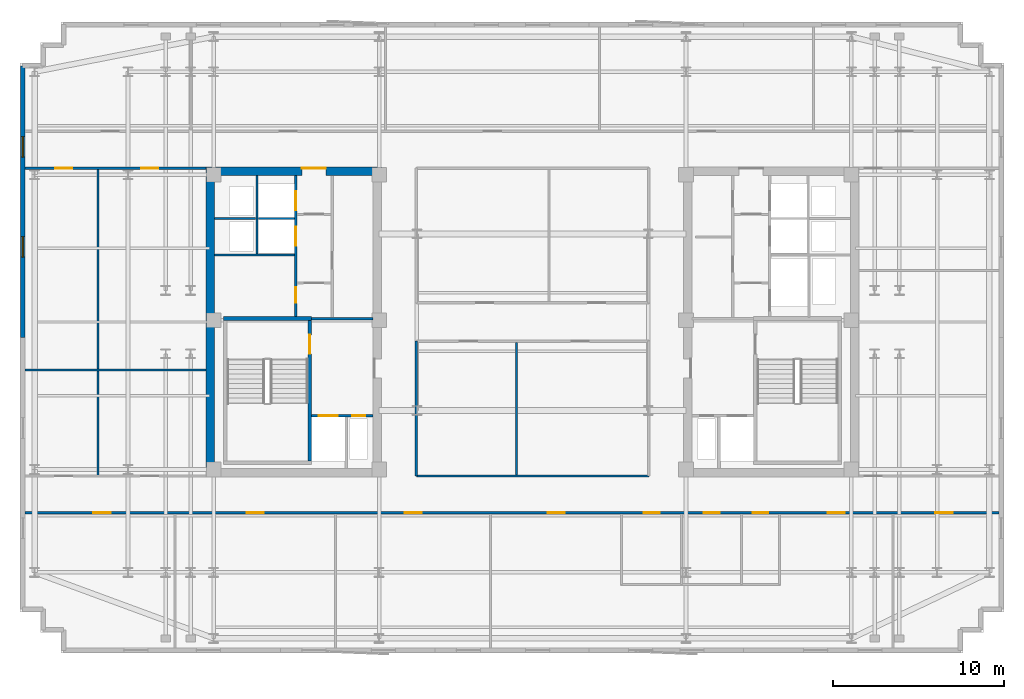
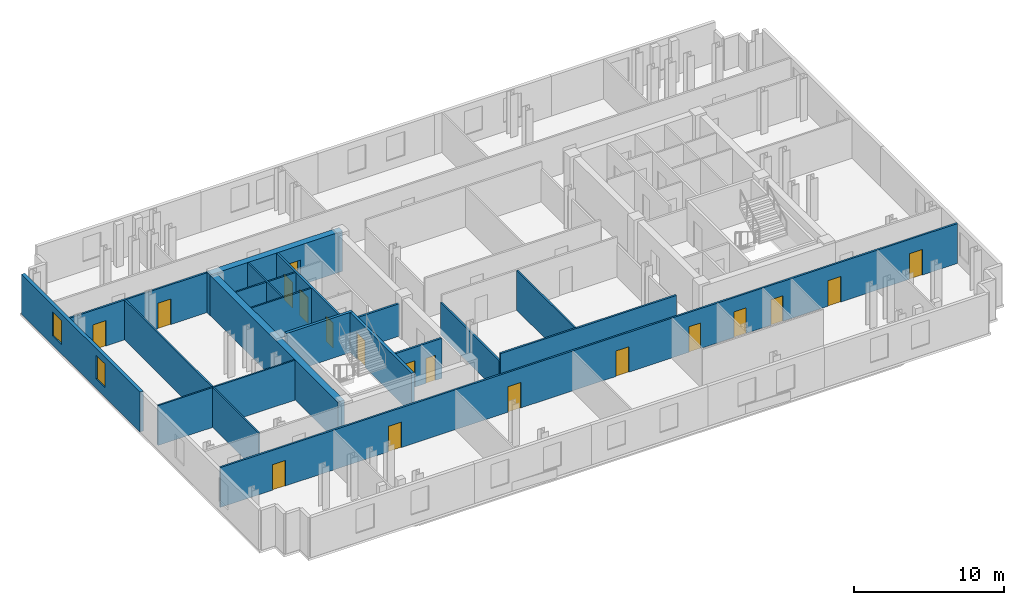
# One storey, part 4 of 9: 19 walls, 18 doors, 2 windows, 20 openings.
"""IFC4 building model written with IfcOpenShell, lengths in metres."""

import ifcopenshell
import ifcopenshell.guid

model = None  # the IFC model being written
_history = None  # IfcOwnerHistory: only IFC2X3 demands one
_inside = {}  # id of a spatial element -> (the spatial element, [elements in it])
_under = {}  # id of a project, library or spatial element -> (it, [spatial elements below it])
_declared = {}  # id of a project -> (the project, [libraries it declares])
_typed = {}  # id of a type object -> (the type object, [elements of that type])
_made_of = {}  # id of a material, layer set ... -> (it, [elements and type objects made of it])


def new_model(schema):
    """Start an empty IFC model of exactly this schema.

    Asked for "IFC4X3", IfcOpenShell would pick the latest addendum, in which some entities
    have other attributes; the version numbers below select the first issue.
    IFC2X3 requires an IfcOwnerHistory on every rooted entity: one is made here for all.
    """
    global model, _history
    if schema == "IFC4X3":
        model = ifcopenshell.file(schema_version=(4, 3, 0, 0))
    else:
        model = ifcopenshell.file(schema=schema)
    _inside.clear()
    _under.clear()
    _declared.clear()
    _typed.clear()
    _made_of.clear()
    _history = None
    if model.schema == "IFC2X3":
        org = make("IfcOrganization", Name="unknown")
        user = make(
            "IfcPersonAndOrganization",
            ThePerson=make("IfcPerson", FamilyName="unknown"),
            TheOrganization=org,
        )
        app = make(
            "IfcApplication",
            ApplicationDeveloper=org,
            Version="unknown",
            ApplicationFullName="unknown",
            ApplicationIdentifier="unknown",
        )
        _history = make(
            "IfcOwnerHistory",
            OwningUser=user,
            OwningApplication=app,
            ChangeAction="ADDED",
            CreationDate=0,
        )
    return model


def make(cls, **values):
    """One entity of the class cls with the attributes given. An attribute that is None is left unset."""
    return model.create_entity(
        cls, **{name: value for name, value in values.items() if value is not None}
    )


def rooted(cls, **values):
    """An entity with a GlobalId (a new one), such as an element, a storey or a relation."""
    return make(cls, GlobalId=ifcopenshell.guid.new(), OwnerHistory=_history, **values)


def si_unit(unit_type, name, prefix=None):
    """IfcSIUnit, for example si_unit("LENGTHUNIT", "METRE", prefix="MILLI")."""
    return make("IfcSIUnit", UnitType=unit_type, Prefix=prefix, Name=name)


def assignment(units):
    """IfcUnitAssignment: the units of a project."""
    return None if units is None else make("IfcUnitAssignment", Units=units)


def point(xyz):
    """IfcCartesianPoint."""
    return None if xyz is None else make("IfcCartesianPoint", Coordinates=xyz)


def direction(xyz):
    """IfcDirection."""
    return None if xyz is None else make("IfcDirection", DirectionRatios=xyz)


def frame(location, z_axis=None, x_axis=None):
    """IfcAxis2Placement3D, a coordinate frame: its origin and axes. An axis left out is left unset."""
    return make(
        "IfcAxis2Placement3D",
        Location=point(location),
        Axis=direction(z_axis),
        RefDirection=direction(x_axis),
    )


def frame_2d(location, x_axis=None):
    """IfcAxis2Placement2D, a coordinate frame in the plane: its origin and x axis."""
    return make(
        "IfcAxis2Placement2D", Location=point(location), RefDirection=direction(x_axis)
    )


def origin():
    """The frame at (0, 0, 0) with its axes left unset."""
    return frame((0.0, 0.0, 0.0))


def place(relative_to, where):
    """IfcLocalPlacement: puts the frame where relative to a parent placement (None: the world)."""
    return make(
        "IfcLocalPlacement", PlacementRelTo=relative_to, RelativePlacement=where
    )


def context(
    kind, dimensions, precision=None, world=None, true_north=None, identifier=None
):
    """IfcGeometricRepresentationContext, for example the 3D "Model" context."""
    return make(
        "IfcGeometricRepresentationContext",
        ContextIdentifier=identifier,
        ContextType=kind,
        CoordinateSpaceDimension=dimensions,
        Precision=precision,
        WorldCoordinateSystem=world,
        TrueNorth=true_north,
    )


def subcontext(parent, identifier, kind, view, scale=None):
    """IfcGeometricRepresentationSubContext, for example "Body" below "Model"."""
    return make(
        "IfcGeometricRepresentationSubContext",
        ContextIdentifier=identifier,
        ContextType=kind,
        ParentContext=parent,
        TargetScale=scale,
        TargetView=view,
    )


def project(units=None, contexts=None):
    """IfcProject with its units and contexts."""
    return rooted(
        "IfcProject",
        Name="project",
        RepresentationContexts=contexts,
        UnitsInContext=assignment(units),
    )


def spatial(cls, under=None, at=None, **own):
    """A site, building, storey or space (cls), placed at a placement, below another one or the project."""
    s = rooted(cls, ObjectPlacement=at, **own)
    if under is not None:
        _under.setdefault(under.id(), (under, []))[1].append(s)
    return s


def profile(cls, at=None, kind="AREA", **sizes):
    """A parametric profile (cls). Its sizes go by their IFC names, for example OverallWidth=200.0."""
    return make(cls, ProfileType=kind, Position=at, **sizes)


def rectangle(**sizes):
    """IfcRectangleProfileDef."""
    return profile("IfcRectangleProfileDef", **sizes)


def extrude(swept, where, along, depth):
    """IfcExtrudedAreaSolid: the profile swept, set in the frame where, extruded along a direction by depth."""
    return make(
        "IfcExtrudedAreaSolid",
        SweptArea=swept,
        Position=where,
        ExtrudedDirection=direction(along),
        Depth=depth,
    )


def shape(context_of_items, identifier, shape_type, items):
    """IfcShapeRepresentation: the items that make up one representation, for example the "Body"."""
    return make(
        "IfcShapeRepresentation",
        ContextOfItems=context_of_items,
        RepresentationIdentifier=identifier,
        RepresentationType=shape_type,
        Items=items,
    )


def material(Name=None, Category=None):
    """IfcMaterial."""
    return make("IfcMaterial", Name=Name, Category=Category)


def layer(
    of_material, thickness, ventilated=None, Name=None, Category=None, Priority=None
):
    """IfcMaterialLayer: one layer of a wall or slab, of a material (None: an air gap)."""
    return make(
        "IfcMaterialLayer",
        Material=of_material,
        LayerThickness=thickness,
        IsVentilated=ventilated,
        Name=Name,
        Category=Category,
        Priority=Priority,
    )


def layer_set(layers, Name=None):
    """IfcMaterialLayerSet."""
    return make("IfcMaterialLayerSet", MaterialLayers=layers, LayerSetName=Name)


def made_of(thing, what):
    """Note that an element or type object is made of a material, layer set ...; save() writes the relation."""
    if what is not None:
        _made_of.setdefault(what.id(), (what, []))[1].append(thing)
    return thing


def type_object(cls, material=None, **own):
    """A type object (cls), such as IfcWallType, which elements share."""
    return made_of(rooted(cls, **own), material)


def element(
    cls,
    number,
    at=None,
    inside=None,
    cuts=None,
    type_object=None,
    material=None,
    context=None,
    identifier="Body",
    shape_type=None,
    held_by="IfcProductDefinitionShape",
    body=None,
    shapes=None,
    **own,
):
    """One element of the class cls, such as IfcWall. Its Tag is "e" and its number.

    at: its placement. inside: the storey or other place that contains it. cuts: it is an
    opening in that element (IfcRelVoidsElement). A single representation is given by context,
    identifier, shape_type and body (its items); several are given by shapes. held_by: the class
    of the entity that holds the representations. save() writes the other relations.
    """
    e = rooted(cls, Tag="e%d" % number, ObjectPlacement=at, **own)
    if body is not None:
        shapes = [shape(context, identifier, shape_type, body)]
    if shapes is not None:
        e.Representation = make(held_by, Representations=shapes)
    if inside is not None:
        _inside.setdefault(inside.id(), (inside, []))[1].append(e)
    if cuts is not None:
        rooted(
            "IfcRelVoidsElement", RelatingBuildingElement=cuts, RelatedOpeningElement=e
        )
    if type_object is not None:
        _typed.setdefault(type_object.id(), (type_object, []))[1].append(e)
    return made_of(e, material)


def fill(opening, filler):
    """IfcRelFillsElement: the door or window that sits in an opening."""
    return rooted(
        "IfcRelFillsElement",
        RelatingOpeningElement=opening,
        RelatedBuildingElement=filler,
    )


def aggregate(whole, parts):
    """IfcRelAggregates: a whole, such as a stair, and the parts it consists of."""
    return rooted("IfcRelAggregates", RelatingObject=whole, RelatedObjects=parts)


def save(model, path):
    """Write the relations noted so far, then the file.

    IfcRelAggregates (storeys below a building ...), IfcRelContainedInSpatialStructure (elements
    in a storey), IfcRelDefinesByType, IfcRelAssociatesMaterial and IfcRelDeclares: one each for
    every whole, place, type object, material and project.
    """
    for whole, parts in _under.values():
        aggregate(whole, parts)
    for where, things in _inside.values():
        rooted(
            "IfcRelContainedInSpatialStructure",
            RelatedElements=things,
            RelatingStructure=where,
        )
    for kind, things in _typed.values():
        rooted("IfcRelDefinesByType", RelatedObjects=things, RelatingType=kind)
    for what, things in _made_of.values():
        rooted("IfcRelAssociatesMaterial", RelatedObjects=things, RelatingMaterial=what)
    for by, libraries in _declared.values():
        rooted("IfcRelDeclares", RelatingContext=by, RelatedDefinitions=libraries)
    model.write(path)


model = new_model("IFC4")

# Units and contexts
model_context = context("Model", 3, precision=1e-05, world=origin(), true_north=direction((0.0, 1.0)))
body_context = subcontext(model_context, "Body", "Model", "MODEL_VIEW")
ifc_project = project(units=[si_unit("LENGTHUNIT", "METRE"), si_unit("AREAUNIT", "SQUARE_METRE"), si_unit("VOLUMEUNIT", "CUBIC_METRE"), si_unit("PLANEANGLEUNIT", "RADIAN"), si_unit("MASSUNIT", "GRAM", prefix="KILO")], contexts=[model_context])

# Site, building, storey
site_placement = place(None, origin())
site = spatial("IfcSite", under=ifc_project, at=site_placement, CompositionType="ELEMENT")
building_placement = place(site_placement, origin())
building = spatial("IfcBuilding", under=site, at=building_placement, Name="Velakula Bourse", CompositionType="ELEMENT")
storey_placement = place(building_placement, frame((0.0, 0.0, 225.75)))
storey = spatial("IfcBuildingStorey", under=building, at=storey_placement, Name="L61", CompositionType="ELEMENT", Elevation=225.75)

# Wall, opening, door
ifc_material_1 = material(Name="Concrete M50 (fck 50 MPa)", Category="concrete")
ifc_layer_1 = layer(ifc_material_1, 0.2099609375, Name="Concrete M50 (fck 50 MPa)", Category="concrete")
ifc_layer_set_1 = layer_set([ifc_layer_1], Name="Concrete M50 (fck 50 MPa)")
wall_type_1 = type_object("IfcWallType", Name="WL-CORE-210", PredefinedType="SHEAR", material=ifc_layer_set_1)
wall_1_placement = place(storey_placement, frame((-12.9951171875, -8.10009765625, 0.0), z_axis=(0.0, 0.0, 1.0), x_axis=(0.0, 1.0, 0.0)))
wall_1 = element("IfcWall", 1, at=wall_1_placement, inside=storey, type_object=wall_type_1, Name="L61 Core W Stairwell Shear Wall IN", PredefinedType="SHEAR", context=body_context, shape_type="SweptSolid", body=[
    extrude(rectangle(XDim=8.2001953125, YDim=0.2099609375, at=frame_2d((4.10009765625, 0.0))), origin(), (0.0, 0.0, 1.0), 3.27001953125),
])
opening_1_placement = place(wall_1_placement, frame((6.25, 0.0, 0.0)))
opening_1 = element("IfcOpeningElement", 2, at=opening_1_placement, cuts=wall_1, Name="Opening D-STW1", PredefinedType="OPENING", context=body_context, shape_type="SweptSolid", body=[
    extrude(rectangle(XDim=1.10009765625, YDim=2.14990234375, at=frame_2d((0.550048828125, 1.074951171875))), frame((0.0, 0.114990234375, 0.0), z_axis=(0.0, -1.0, 0.0), x_axis=(1.0, 0.0, 0.0)), (0.0, 0.0, 1.0), 0.22998046875),
])
ifc_material_2 = material(Name="Galvanised painted hollow steel fire door", Category="steel")
door_type_1 = type_object("IfcDoorType", Name="DR-FD120-1100x2150", OperationType="NOTDEFINED", PredefinedType="DOOR", material=ifc_material_2)
door_1_placement = place(opening_1_placement, origin())
door_1 = element("IfcDoor", 3, at=door_1_placement, inside=storey, type_object=door_type_1, Name="L61 Stair ST-W1 Fire Door", OperationType="SINGLE_SWING_LEFT", OverallHeight=2.14990234375, OverallWidth=1.10009765625, PredefinedType="DOOR", context=body_context, shape_type="SweptSolid", body=[
    extrude(rectangle(XDim=1.10009765625, YDim=2.14990234375, at=frame_2d((0.550048828125, 1.074951171875))), frame((0.0, 0.02490234375, 0.0), z_axis=(0.0, -1.0, 0.0), x_axis=(1.0, 0.0, 0.0)), (0.0, 0.0, 1.0), 0.050048828125),
])
fill(opening_1, door_1)

# Wall
wall_2_placement = place(storey_placement, frame((-12.889892578125, 0.205078125, 0.0), z_axis=(0.0, 0.0, 1.0), x_axis=(-1.0, 0.0, 0.0)))
element("IfcWall", 4, at=wall_2_placement, inside=storey, type_object=wall_type_1, Name="L61 Core W Stairwell Shear Wall N", PredefinedType="SHEAR", context=body_context, shape_type="SweptSolid", body=[
    extrude(rectangle(XDim=5.14013671875, YDim=0.2099609375, at=frame_2d((2.570068359375, 0.0))), origin(), (0.0, 0.0, 1.0), 3.27001953125),
])

# Wall, opening, door
ifc_layer_2 = layer(ifc_material_1, 0.5, Name="Concrete M50 (fck 50 MPa)", Category="concrete")
ifc_layer_set_2 = layer_set([ifc_layer_2], Name="Concrete M50 (fck 50 MPa)")
wall_type_2 = type_object("IfcWallType", Name="WL-CORE-500", PredefinedType="SHEAR", material=ifc_layer_set_2)
wall_3_placement = place(storey_placement, frame((-19.050048828125, 8.800048828125, 0.0), z_axis=(0.0, 0.0, 1.0), x_axis=(1.0, 0.0, 0.0)))
wall_3 = element("IfcWall", 5, at=wall_3_placement, inside=storey, type_object=wall_type_2, Name="L61 Core W Shear Wall N", PredefinedType="SHEAR", context=body_context, shape_type="SweptSolid", body=[
    extrude(rectangle(XDim=10.25, YDim=0.5, at=frame_2d((5.125, 0.0))), origin(), (0.0, 0.0, 1.0), 3.27001953125),
])
opening_2_placement = place(wall_3_placement, frame((5.60009765625, 0.0, 0.0)))
opening_2 = element("IfcOpeningElement", 6, at=opening_2_placement, cuts=wall_3, Name="Opening D-LLW", PredefinedType="OPENING", context=body_context, shape_type="SweptSolid", body=[
    extrude(rectangle(XDim=1.39990234375, YDim=2.050048828125, at=frame_2d((0.699951171875, 1.02490234375))), frame((0.0, 0.260009765625, 0.0), z_axis=(0.0, -1.0, 0.0), x_axis=(1.0, 0.0, 0.0)), (0.0, 0.0, 1.0), 0.52001953125),
])
ifc_material_3 = material(Name="Fire-rated hardwood flush architectural door", Category="wood")
door_type_2 = type_object("IfcDoorType", Name="DR-DBL-FD60-1400", OperationType="DOUBLE_DOOR_SINGLE_SWING", PredefinedType="DOOR", material=ifc_material_3)
door_2_placement = place(opening_2_placement, origin())
door_2 = element("IfcDoor", 7, at=door_2_placement, inside=storey, type_object=door_type_2, Name="L61 Core W Lift Lobby Corridor Double Door", OperationType="DOUBLE_DOOR_SINGLE_SWING", OverallHeight=2.050048828125, OverallWidth=1.39990234375, PredefinedType="DOOR", context=body_context, shape_type="SweptSolid", body=[
    extrude(rectangle(XDim=1.39990234375, YDim=2.050048828125, at=frame_2d((0.699951171875, 1.02490234375))), frame((0.0, 0.19482421875, 0.0), z_axis=(0.0, -1.0, 0.0), x_axis=(1.0, 0.0, 0.0)), (0.0, 0.0, 1.0), 0.050048828125),
])
fill(opening_2, door_2)

# Wall
wall_4_placement = place(storey_placement, frame((-18.800048828125, -8.550048828125, 0.0), z_axis=(0.0, 0.0, 1.0), x_axis=(0.0, 1.0, 0.0)))
element("IfcWall", 8, at=wall_4_placement, inside=storey, type_object=wall_type_2, Name="L61 Core W Shear Wall W", PredefinedType="SHEAR", context=body_context, shape_type="SweptSolid", body=[
    extrude(rectangle(XDim=17.10009765625, YDim=0.5, at=frame_2d((8.550048828125, 0.0))), origin(), (0.0, 0.0, 1.0), 3.27001953125),
])

# Wall, openings, windows
ifc_material_4 = material(Name="Buff kilned clay facing brick masonry", Category="masonry")
ifc_layer_3 = layer(ifc_material_4, 0.260009765625, Name="Buff kilned clay facing brick masonry", Category="masonry")
ifc_layer_set_3 = layer_set([ifc_layer_3], Name="Buff kilned clay facing brick masonry")
wall_type_3 = type_object("IfcWallType", Name="WL-EXT-BRK-260", PredefinedType="STANDARD", material=ifc_layer_set_3)
wall_5_placement = place(storey_placement, frame((-29.75, -0.89990234375, 0.0), z_axis=(0.0, 0.0, 1.0), x_axis=(0.0, 1.0, 0.0)))
wall_5 = element("IfcWall", 9, at=wall_5_placement, inside=storey, type_object=wall_type_3, Name="L61 W Brick End Wall W2", PredefinedType="STANDARD", context=body_context, shape_type="SweptSolid", body=[
    extrude(rectangle(XDim=15.849853515625, YDim=0.260009765625, at=frame_2d((7.9248046875, 0.0))), origin(), (0.0, 0.0, 1.0), 3.25),
])
opening_3_placement = place(wall_5_placement, frame((4.683349609375, 0.0, 0.760009765625)))
opening_3 = element("IfcOpeningElement", 10, at=opening_3_placement, cuts=wall_5, Name="Opening W-04", PredefinedType="OPENING", context=body_context, shape_type="SweptSolid", body=[
    extrude(rectangle(XDim=1.199951171875, YDim=1.949951171875, at=frame_2d((0.60009765625, 0.97509765625))), frame((0.0, 0.139892578125, 0.0), z_axis=(0.0, -1.0, 0.0), x_axis=(1.0, 0.0, 0.0)), (0.0, 0.0, 1.0), 0.280029296875),
])
opening_4_placement = place(wall_5_placement, frame((10.5166015625, 0.0, 0.760009765625)))
opening_4 = element("IfcOpeningElement", 11, at=opening_4_placement, cuts=wall_5, Name="Opening W-04", PredefinedType="OPENING", context=body_context, shape_type="SweptSolid", body=[
    extrude(rectangle(XDim=1.199951171875, YDim=1.949951171875, at=frame_2d((0.60009765625, 0.97509765625))), frame((0.0, 0.139892578125, 0.0), z_axis=(0.0, -1.0, 0.0), x_axis=(1.0, 0.0, 0.0)), (0.0, 0.0, 1.0), 0.280029296875),
])
ifc_material_5 = material(Name="Double-glazed solar-control Low-E glass", Category="glass")
window_type = type_object("IfcWindowType", Name="WIN-TWR-1200x2100", PartitioningType="SINGLE_PANEL", PredefinedType="WINDOW", material=ifc_material_5)
window_1_placement = place(opening_3_placement, origin())
window_1 = element("IfcWindow", 12, at=window_1_placement, inside=storey, type_object=window_type, Name="L61 Deep-Set Recessed Window 1", OverallHeight=1.949951171875, OverallWidth=1.199951171875, PartitioningType="SINGLE_PANEL", PredefinedType="WINDOW", context=body_context, shape_type="SweptSolid", body=[
    extrude(rectangle(XDim=1.199951171875, YDim=1.949951171875, at=frame_2d((0.60009765625, 0.97509765625))), frame((0.0, 0.030029296875, 0.0), z_axis=(0.0, -1.0, 0.0), x_axis=(1.0, 0.0, 0.0)), (0.0, 0.0, 1.0), 0.06005859375),
])
fill(opening_3, window_1)
window_2_placement = place(opening_4_placement, origin())
window_2 = element("IfcWindow", 13, at=window_2_placement, inside=storey, type_object=window_type, Name="L61 Deep-Set Recessed Window 2", OverallHeight=1.949951171875, OverallWidth=1.199951171875, PartitioningType="SINGLE_PANEL", PredefinedType="WINDOW", context=body_context, shape_type="SweptSolid", body=[
    extrude(rectangle(XDim=1.199951171875, YDim=1.949951171875, at=frame_2d((0.60009765625, 0.97509765625))), frame((0.0, 0.030029296875, 0.0), z_axis=(0.0, -1.0, 0.0), x_axis=(1.0, 0.0, 0.0)), (0.0, 0.0, 1.0), 0.06005859375),
])
fill(opening_4, window_2)

# Walls
ifc_material_6 = material(Name="Fire-rated double-layer gypsum drywall partition", Category="gypsum")
ifc_layer_4 = layer(ifc_material_6, 0.1201171875, Name="Fire-rated double-layer gypsum drywall partition", Category="gypsum")
ifc_layer_set_4 = layer_set([ifc_layer_4], Name="Fire-rated double-layer gypsum drywall partition")
wall_type_4 = type_object("IfcWallType", Name="WL-PART-120", PredefinedType="STANDARD", material=ifc_layer_set_4)
wall_6_placement = place(storey_placement, frame((-18.550048828125, 3.919921875, 0.0), z_axis=(0.0, 0.0, 1.0), x_axis=(1.0, 0.0, 0.0)))
element("IfcWall", 14, at=wall_6_placement, inside=storey, type_object=wall_type_4, Name="L61 Interior Partition WL-CRW-L61-HI-S", PredefinedType="STANDARD", context=body_context, shape_type="SweptSolid", body=[
    extrude(rectangle(XDim=4.650146484375, YDim=0.1201171875, at=frame_2d((2.3251953125, 0.0))), origin(), (0.0, 0.0, 1.0), 3.25),
])
wall_7_placement = place(storey_placement, frame((-18.550048828125, 6.030029296875, 0.0), z_axis=(0.0, 0.0, 1.0), x_axis=(1.0, 0.0, 0.0)))
element("IfcWall", 15, at=wall_7_placement, inside=storey, type_object=wall_type_4, Name="L61 Interior Partition WL-CRW-L61-RIS-MID", PredefinedType="STANDARD", context=body_context, shape_type="SweptSolid", body=[
    extrude(rectangle(XDim=2.400146484375, YDim=0.1201171875, at=frame_2d((1.2001953125, 0.0))), origin(), (0.0, 0.0, 1.0), 3.25),
])
wall_8_placement = place(storey_placement, frame((-16.074951171875, 3.97998046875, 0.0), z_axis=(0.0, 0.0, 1.0), x_axis=(0.0, 1.0, 0.0)))
element("IfcWall", 16, at=wall_8_placement, inside=storey, type_object=wall_type_4, Name="L61 Interior Partition WL-CRW-L61-RIS-F", PredefinedType="STANDARD", context=body_context, shape_type="SweptSolid", body=[
    extrude(rectangle(XDim=4.570068359375, YDim=0.1201171875, at=frame_2d((2.28515625, 0.0))), origin(), (0.0, 0.0, 1.0), 3.25),
])
wall_9_placement = place(storey_placement, frame((-16.0, 6.030029296875, 0.0), z_axis=(0.0, 0.0, 1.0), x_axis=(1.0, 0.0, 0.0)))
element("IfcWall", 17, at=wall_9_placement, inside=storey, type_object=wall_type_4, Name="L61 Interior Partition WL-CRW-L61-HI-DIV", PredefinedType="STANDARD", context=body_context, shape_type="SweptSolid", body=[
    extrude(rectangle(XDim=2.10009765625, YDim=0.1201171875, at=frame_2d((1.050048828125, 0.0))), origin(), (0.0, 0.0, 1.0), 3.25),
])
wall_10_placement = place(storey_placement, frame((-29.6201171875, -2.800048828125, 0.0), z_axis=(0.0, 0.0, 1.0), x_axis=(1.0, 0.0, 0.0)))
element("IfcWall", 18, at=wall_10_placement, inside=storey, type_object=wall_type_4, Name="L61 Interior Partition WL-INT-L61-W-H", PredefinedType="STANDARD", context=body_context, shape_type="SweptSolid", body=[
    extrude(rectangle(XDim=10.570068359375, YDim=0.1201171875, at=frame_2d((5.28515625, 0.0))), origin(), (0.0, 0.0, 1.0), 3.25),
])
wall_11_placement = place(storey_placement, frame((-25.35498046875, -8.97998046875, 0.0), z_axis=(0.0, 0.0, 1.0), x_axis=(0.0, 1.0, 0.0)))
element("IfcWall", 19, at=wall_11_placement, inside=storey, type_object=wall_type_4, Name="L61 Interior Partition WL-INT-L61-W-V1", PredefinedType="STANDARD", context=body_context, shape_type="SweptSolid", body=[
    extrude(rectangle(XDim=17.9599609375, YDim=0.1201171875, at=frame_2d((8.97998046875, 0.0))), origin(), (0.0, 0.0, 1.0), 3.25),
])

# Wall, openings, doors
ifc_layer_5 = layer(ifc_material_6, 0.139892578125, Name="Fire-rated double-layer gypsum drywall partition", Category="gypsum")
ifc_layer_set_5 = layer_set([ifc_layer_5], Name="Fire-rated double-layer gypsum drywall partition")
wall_type_5 = type_object("IfcWallType", Name="WL-PART-140", PredefinedType="STANDARD", material=ifc_layer_set_5)
wall_12_placement = place(storey_placement, frame((-29.6201171875, -11.1201171875, 0.0), z_axis=(0.0, 0.0, 1.0), x_axis=(1.0, 0.0, 0.0)))
wall_12 = element("IfcWall", 20, at=wall_12_placement, inside=storey, type_object=wall_type_5, Name="L61 Interior Partition WL-INT-L61-S-CORR", PredefinedType="STANDARD", context=body_context, shape_type="SweptSolid", body=[
    extrude(rectangle(XDim=56.840087890625, YDim=0.139892578125, at=frame_2d((28.419921875, 0.0))), origin(), (0.0, 0.0, 1.0), 3.25),
])
opening_5_placement = place(wall_12_placement, frame((36.110107421875, 0.0, 0.0)))
opening_5 = element("IfcOpeningElement", 21, at=opening_5_placement, cuts=wall_12, Name="Opening D-WT1", PredefinedType="OPENING", context=body_context, shape_type="SweptSolid", body=[
    extrude(rectangle(XDim=0.919921875, YDim=2.080078125, at=frame_2d((0.4599609375, 1.0400390625))), frame((0.0, 0.079833984375, 0.0), z_axis=(0.0, -1.0, 0.0), x_axis=(1.0, 0.0, 0.0)), (0.0, 0.0, 1.0), 0.159912109375),
])
opening_6_placement = place(wall_12_placement, frame((39.610107421875, 0.0, 0.0)))
opening_6 = element("IfcOpeningElement", 22, at=opening_6_placement, cuts=wall_12, Name="Opening D-WT1", PredefinedType="OPENING", context=body_context, shape_type="SweptSolid", body=[
    extrude(rectangle(XDim=0.919921875, YDim=2.080078125, at=frame_2d((0.4599609375, 1.0400390625))), frame((0.0, 0.079833984375, 0.0), z_axis=(0.0, -1.0, 0.0), x_axis=(1.0, 0.0, 0.0)), (0.0, 0.0, 1.0), 0.159912109375),
])
opening_7_placement = place(wall_12_placement, frame((42.4599609375, 0.0, 0.0)))
opening_7 = element("IfcOpeningElement", 23, at=opening_7_placement, cuts=wall_12, Name="Opening D-WC1", PredefinedType="OPENING", context=body_context, shape_type="SweptSolid", body=[
    extrude(rectangle(XDim=0.919921875, YDim=2.080078125, at=frame_2d((0.4599609375, 1.0400390625))), frame((0.0, 0.079833984375, 0.0), z_axis=(0.0, -1.0, 0.0), x_axis=(1.0, 0.0, 0.0)), (0.0, 0.0, 1.0), 0.159912109375),
])
opening_8_placement = place(wall_12_placement, frame((4.0009765625, 0.0, 0.0)))
opening_8 = element("IfcOpeningElement", 24, at=opening_8_placement, cuts=wall_12, Name="Opening D-OF1", PredefinedType="OPENING", context=body_context, shape_type="SweptSolid", body=[
    extrude(rectangle(XDim=1.0, YDim=2.080078125, at=frame_2d((0.5, 1.0400390625))), frame((0.0, 0.079833984375, 0.0), z_axis=(0.0, -1.0, 0.0), x_axis=(1.0, 0.0, 0.0)), (0.0, 0.0, 1.0), 0.159912109375),
])
opening_9_placement = place(wall_12_placement, frame((12.9423828125, 0.0, 0.0)))
opening_9 = element("IfcOpeningElement", 25, at=opening_9_placement, cuts=wall_12, Name="Opening D-OF1", PredefinedType="OPENING", context=body_context, shape_type="SweptSolid", body=[
    extrude(rectangle(XDim=1.0, YDim=2.080078125, at=frame_2d((0.5, 1.0400390625))), frame((0.0, 0.079833984375, 0.0), z_axis=(0.0, -1.0, 0.0), x_axis=(1.0, 0.0, 0.0)), (0.0, 0.0, 1.0), 0.159912109375),
])
opening_10_placement = place(wall_12_placement, frame((22.154052734375, 0.0, 0.0)))
opening_10 = element("IfcOpeningElement", 26, at=opening_10_placement, cuts=wall_12, Name="Opening D-OF1", PredefinedType="OPENING", context=body_context, shape_type="SweptSolid", body=[
    extrude(rectangle(XDim=1.0, YDim=2.080078125, at=frame_2d((0.5, 1.0400390625))), frame((0.0, 0.079833984375, 0.0), z_axis=(0.0, -1.0, 0.0), x_axis=(1.0, 0.0, 0.0)), (0.0, 0.0, 1.0), 0.159912109375),
])
opening_11_placement = place(wall_12_placement, frame((30.49658203125, 0.0, 0.0)))
opening_11 = element("IfcOpeningElement", 27, at=opening_11_placement, cuts=wall_12, Name="Opening D-OF1", PredefinedType="OPENING", context=body_context, shape_type="SweptSolid", body=[
    extrude(rectangle(XDim=1.0, YDim=2.080078125, at=frame_2d((0.5, 1.0400390625))), frame((0.0, 0.079833984375, 0.0), z_axis=(0.0, -1.0, 0.0), x_axis=(1.0, 0.0, 0.0)), (0.0, 0.0, 1.0), 0.159912109375),
])
opening_12_placement = place(wall_12_placement, frame((46.83740234375, 0.0, 0.0)))
opening_12 = element("IfcOpeningElement", 28, at=opening_12_placement, cuts=wall_12, Name="Opening D-OF1", PredefinedType="OPENING", context=body_context, shape_type="SweptSolid", body=[
    extrude(rectangle(XDim=1.0, YDim=2.080078125, at=frame_2d((0.5, 1.0400390625))), frame((0.0, 0.079833984375, 0.0), z_axis=(0.0, -1.0, 0.0), x_axis=(1.0, 0.0, 0.0)), (0.0, 0.0, 1.0), 0.159912109375),
])
opening_13_placement = place(wall_12_placement, frame((53.12158203125, 0.0, 0.0)))
opening_13 = element("IfcOpeningElement", 29, at=opening_13_placement, cuts=wall_12, Name="Opening D-OF1", PredefinedType="OPENING", context=body_context, shape_type="SweptSolid", body=[
    extrude(rectangle(XDim=1.0, YDim=2.080078125, at=frame_2d((0.5, 1.0400390625))), frame((0.0, 0.079833984375, 0.0), z_axis=(0.0, -1.0, 0.0), x_axis=(1.0, 0.0, 0.0)), (0.0, 0.0, 1.0), 0.159912109375),
])
door_type_3 = type_object("IfcDoorType", Name="DR-OFF-1000", OperationType="NOTDEFINED", PredefinedType="DOOR", material=ifc_material_3)
door_3_placement = place(opening_8_placement, origin())
door_3 = element("IfcDoor", 30, at=door_3_placement, inside=storey, type_object=door_type_3, Name="L61 Traders Bistro Restaurant Door", OperationType="SINGLE_SWING_LEFT", OverallHeight=2.080078125, OverallWidth=1.0, PredefinedType="DOOR", context=body_context, shape_type="SweptSolid", body=[
    extrude(rectangle(XDim=1.0, YDim=2.080078125, at=frame_2d((0.5, 1.0400390625))), frame((0.0, 0.02490234375, 0.0), z_axis=(0.0, -1.0, 0.0), x_axis=(1.0, 0.0, 0.0)), (0.0, 0.0, 1.0), 0.050048828125),
])
fill(opening_8, door_3)
door_4_placement = place(opening_9_placement, origin())
door_4 = element("IfcDoor", 31, at=door_4_placement, inside=storey, type_object=door_type_3, Name="L61 Margin Control Office Door", OperationType="SINGLE_SWING_RIGHT", OverallHeight=2.080078125, OverallWidth=1.0, PredefinedType="DOOR", context=body_context, shape_type="SweptSolid", body=[
    extrude(rectangle(XDim=1.0, YDim=2.080078125, at=frame_2d((0.5, 1.0400390625))), frame((0.0, 0.02490234375, 0.0), z_axis=(0.0, -1.0, 0.0), x_axis=(1.0, 0.0, 0.0)), (0.0, 0.0, 1.0), 0.050048828125),
])
fill(opening_9, door_4)
door_5_placement = place(opening_10_placement, origin())
door_5 = element("IfcDoor", 32, at=door_5_placement, inside=storey, type_object=door_type_3, Name="L61 Clearing Committee Room Door", OperationType="SINGLE_SWING_LEFT", OverallHeight=2.080078125, OverallWidth=1.0, PredefinedType="DOOR", context=body_context, shape_type="SweptSolid", body=[
    extrude(rectangle(XDim=1.0, YDim=2.080078125, at=frame_2d((0.5, 1.0400390625))), frame((0.0, 0.02490234375, 0.0), z_axis=(0.0, -1.0, 0.0), x_axis=(1.0, 0.0, 0.0)), (0.0, 0.0, 1.0), 0.050048828125),
])
fill(opening_10, door_5)
door_6_placement = place(opening_11_placement, origin())
door_6 = element("IfcDoor", 33, at=door_6_placement, inside=storey, type_object=door_type_3, Name="L61 Tea Room Kitchenette Door", OperationType="SINGLE_SWING_RIGHT", OverallHeight=2.080078125, OverallWidth=1.0, PredefinedType="DOOR", context=body_context, shape_type="SweptSolid", body=[
    extrude(rectangle(XDim=1.0, YDim=2.080078125, at=frame_2d((0.5, 1.0400390625))), frame((0.0, 0.02490234375, 0.0), z_axis=(0.0, -1.0, 0.0), x_axis=(1.0, 0.0, 0.0)), (0.0, 0.0, 1.0), 0.050048828125),
])
fill(opening_11, door_6)
door_7_placement = place(opening_12_placement, origin())
door_7 = element("IfcDoor", 34, at=door_7_placement, inside=storey, type_object=door_type_3, Name="L61 Market Data Feed Workspace Door", OperationType="SINGLE_SWING_LEFT", OverallHeight=2.080078125, OverallWidth=1.0, PredefinedType="DOOR", context=body_context, shape_type="SweptSolid", body=[
    extrude(rectangle(XDim=1.0, YDim=2.080078125, at=frame_2d((0.5, 1.0400390625))), frame((0.0, 0.02490234375, 0.0), z_axis=(0.0, -1.0, 0.0), x_axis=(1.0, 0.0, 0.0)), (0.0, 0.0, 1.0), 0.050048828125),
])
fill(opening_12, door_7)
door_8_placement = place(opening_13_placement, origin())
door_8 = element("IfcDoor", 35, at=door_8_placement, inside=storey, type_object=door_type_3, Name="L61 Bullion Assay Office Door", OperationType="SINGLE_SWING_RIGHT", OverallHeight=2.080078125, OverallWidth=1.0, PredefinedType="DOOR", context=body_context, shape_type="SweptSolid", body=[
    extrude(rectangle(XDim=1.0, YDim=2.080078125, at=frame_2d((0.5, 1.0400390625))), frame((0.0, 0.02490234375, 0.0), z_axis=(0.0, -1.0, 0.0), x_axis=(1.0, 0.0, 0.0)), (0.0, 0.0, 1.0), 0.050048828125),
])
fill(opening_13, door_8)
door_type_4 = type_object("IfcDoorType", Name="DR-WC-950", OperationType="NOTDEFINED", PredefinedType="DOOR", material=ifc_material_3)
door_9_placement = place(opening_5_placement, origin())
door_9 = element("IfcDoor", 36, at=door_9_placement, inside=storey, type_object=door_type_4, Name="L61 Male Staff Toilet Door", OperationType="SINGLE_SWING_RIGHT", OverallHeight=2.080078125, OverallWidth=0.919921875, PredefinedType="DOOR", context=body_context, shape_type="SweptSolid", body=[
    extrude(rectangle(XDim=0.919921875, YDim=2.080078125, at=frame_2d((0.4599609375, 1.0400390625))), frame((0.0, 0.02490234375, 0.0), z_axis=(0.0, -1.0, 0.0), x_axis=(1.0, 0.0, 0.0)), (0.0, 0.0, 1.0), 0.050048828125),
])
fill(opening_5, door_9)
door_10_placement = place(opening_6_placement, origin())
door_10 = element("IfcDoor", 37, at=door_10_placement, inside=storey, type_object=door_type_4, Name="L61 Female Staff Toilet Door", OperationType="SINGLE_SWING_LEFT", OverallHeight=2.080078125, OverallWidth=0.919921875, PredefinedType="DOOR", context=body_context, shape_type="SweptSolid", body=[
    extrude(rectangle(XDim=0.919921875, YDim=2.080078125, at=frame_2d((0.4599609375, 1.0400390625))), frame((0.0, 0.02490234375, 0.0), z_axis=(0.0, -1.0, 0.0), x_axis=(1.0, 0.0, 0.0)), (0.0, 0.0, 1.0), 0.050048828125),
])
fill(opening_6, door_10)
door_11_placement = place(opening_7_placement, origin())
door_11 = element("IfcDoor", 38, at=door_11_placement, inside=storey, type_object=door_type_4, Name="L61 Accessible WC Door", OperationType="SINGLE_SWING_RIGHT", OverallHeight=2.080078125, OverallWidth=0.919921875, PredefinedType="DOOR", context=body_context, shape_type="SweptSolid", body=[
    extrude(rectangle(XDim=0.919921875, YDim=2.080078125, at=frame_2d((0.4599609375, 1.0400390625))), frame((0.0, 0.02490234375, 0.0), z_axis=(0.0, -1.0, 0.0), x_axis=(1.0, 0.0, 0.0)), (0.0, 0.0, 1.0), 0.050048828125),
])
fill(opening_7, door_11)

wall_13_placement = place(storey_placement, frame((-29.6201171875, 8.97998046875, 0.0), z_axis=(0.0, 0.0, 1.0), x_axis=(1.0, 0.0, 0.0)))
wall_13 = element("IfcWall", 39, at=wall_13_placement, inside=storey, type_object=wall_type_5, Name="L61 Interior Partition WL-INT-L61-W-NC", PredefinedType="STANDARD", context=body_context, shape_type="SweptSolid", body=[
    extrude(rectangle(XDim=10.570068359375, YDim=0.139892578125, at=frame_2d((5.28515625, 0.0))), origin(), (0.0, 0.0, 1.0), 3.25),
])
opening_14_placement = place(wall_13_placement, frame((1.762451171875, 0.0, 0.0)))
opening_14 = element("IfcOpeningElement", 40, at=opening_14_placement, cuts=wall_13, Name="Opening D-OF1", PredefinedType="OPENING", context=body_context, shape_type="SweptSolid", body=[
    extrude(rectangle(XDim=1.0, YDim=2.080078125, at=frame_2d((0.5, 1.0400390625))), frame((0.0, 0.079833984375, 0.0), z_axis=(0.0, -1.0, 0.0), x_axis=(1.0, 0.0, 0.0)), (0.0, 0.0, 1.0), 0.159912109375),
])
opening_15_placement = place(wall_13_placement, frame((6.78759765625, 0.0, 0.0)))
opening_15 = element("IfcOpeningElement", 41, at=opening_15_placement, cuts=wall_13, Name="Opening D-OF1", PredefinedType="OPENING", context=body_context, shape_type="SweptSolid", body=[
    extrude(rectangle(XDim=1.0, YDim=2.080078125, at=frame_2d((0.5, 1.0400390625))), frame((0.0, 0.079833984375, 0.0), z_axis=(0.0, -1.0, 0.0), x_axis=(1.0, 0.0, 0.0)), (0.0, 0.0, 1.0), 0.159912109375),
])
door_12_placement = place(opening_14_placement, origin())
door_12 = element("IfcDoor", 42, at=door_12_placement, inside=storey, type_object=door_type_3, Name="L61 Bullion Assay Office Door", OperationType="SINGLE_SWING_LEFT", OverallHeight=2.080078125, OverallWidth=1.0, PredefinedType="DOOR", context=body_context, shape_type="SweptSolid", body=[
    extrude(rectangle(XDim=1.0, YDim=2.080078125, at=frame_2d((0.5, 1.0400390625))), frame((0.0, 0.02490234375, 0.0), z_axis=(0.0, -1.0, 0.0), x_axis=(1.0, 0.0, 0.0)), (0.0, 0.0, 1.0), 0.050048828125),
])
fill(opening_14, door_12)
door_13_placement = place(opening_15_placement, origin())
door_13 = element("IfcDoor", 43, at=door_13_placement, inside=storey, type_object=door_type_3, Name="L61 Executive Boardroom Door", OperationType="SINGLE_SWING_RIGHT", OverallHeight=2.080078125, OverallWidth=1.0, PredefinedType="DOOR", context=body_context, shape_type="SweptSolid", body=[
    extrude(rectangle(XDim=1.0, YDim=2.080078125, at=frame_2d((0.5, 1.0400390625))), frame((0.0, 0.02490234375, 0.0), z_axis=(0.0, -1.0, 0.0), x_axis=(1.0, 0.0, 0.0)), (0.0, 0.0, 1.0), 0.050048828125),
])
fill(opening_15, door_13)

# Walls
wall_14_placement = place(storey_placement, frame((-6.780029296875, -8.97998046875, 0.0), z_axis=(0.0, 0.0, 1.0), x_axis=(1.0, 0.0, 0.0)))
element("IfcWall", 44, at=wall_14_placement, inside=storey, type_object=wall_type_5, Name="L61 Interior Partition WL-INT-L61-MS-OUT", PredefinedType="STANDARD", context=body_context, shape_type="SweptSolid", body=[
    extrude(rectangle(XDim=13.56005859375, YDim=0.139892578125, at=frame_2d((6.780029296875, 0.0))), origin(), (0.0, 0.0, 1.0), 3.25),
])
wall_15_placement = place(storey_placement, frame((-6.780029296875, -8.97998046875, 0.0), z_axis=(0.0, 0.0, 1.0), x_axis=(0.0, 1.0, 0.0)))
element("IfcWall", 45, at=wall_15_placement, inside=storey, type_object=wall_type_5, Name="L61 Interior Partition WL-INT-L61-MS-W", PredefinedType="STANDARD", context=body_context, shape_type="SweptSolid", body=[
    extrude(rectangle(XDim=7.85986328125, YDim=0.139892578125, at=frame_2d((3.929931640625, 0.0))), origin(), (0.0, 0.0, 1.0), 2.64501953125),
])
wall_16_placement = place(storey_placement, frame((-0.949951171875, -8.909912109375, 0.0), z_axis=(0.0, 0.0, 1.0), x_axis=(0.0, 1.0, 0.0)))
element("IfcWall", 46, at=wall_16_placement, inside=storey, type_object=wall_type_5, Name="L61 Interior Partition WL-INT-L61-MS-V1", PredefinedType="STANDARD", context=body_context, shape_type="SweptSolid", body=[
    extrude(rectangle(XDim=7.719970703125, YDim=0.1201171875, at=frame_2d((3.85986328125, 0.0))), origin(), (0.0, 0.0, 1.0), 3.25),
])

# Wall, openings, doors
ifc_material_7 = material(Name="Autoclaved aerated concrete blockwork masonry", Category="masonry")
ifc_layer_6 = layer(ifc_material_7, 0.14990234375, Name="Autoclaved aerated concrete blockwork masonry", Category="masonry")
ifc_layer_set_6 = layer_set([ifc_layer_6], Name="Autoclaved aerated concrete blockwork masonry")
wall_type_6 = type_object("IfcWallType", Name="WL-SHAFT-150", PredefinedType="STANDARD", material=ifc_layer_set_6)
wall_17_placement = place(storey_placement, frame((-12.89501953125, -5.47509765625, 0.0), z_axis=(0.0, 0.0, 1.0), x_axis=(1.0, 0.0, 0.0)))
wall_17 = element("IfcWall", 47, at=wall_17_placement, inside=storey, type_object=wall_type_6, Name="L61 Interior Partition WL-CRW-L61-FFL-N", PredefinedType="STANDARD", context=body_context, shape_type="SweptSolid", body=[
    extrude(rectangle(XDim=3.594970703125, YDim=0.14990234375, at=frame_2d((1.79736328125, 0.0))), origin(), (0.0, 0.0, 1.0), 3.25),
])
opening_16_placement = place(wall_17_placement, frame((0.419921875, 0.0, 0.0)))
opening_16 = element("IfcOpeningElement", 48, at=opening_16_placement, cuts=wall_17, Name="Opening LD-FFL-1", PredefinedType="OPENING", context=body_context, shape_type="SweptSolid", body=[
    extrude(rectangle(XDim=1.10009765625, YDim=2.14990234375, at=frame_2d((0.550048828125, 1.074951171875))), frame((0.0, 0.0849609375, 0.0), z_axis=(0.0, -1.0, 0.0), x_axis=(1.0, 0.0, 0.0)), (0.0, 0.0, 1.0), 0.169921875),
])
opening_17_placement = place(wall_17_placement, frame((2.3701171875, 0.0, 0.0)))
opening_17 = element("IfcOpeningElement", 49, at=opening_17_placement, cuts=wall_17, Name="Opening D-RS1", PredefinedType="OPENING", context=body_context, shape_type="SweptSolid", body=[
    extrude(rectangle(XDim=0.75, YDim=2.050048828125, at=frame_2d((0.375, 1.02490234375))), frame((0.0, 0.0849609375, 0.0), z_axis=(0.0, -1.0, 0.0), x_axis=(1.0, 0.0, 0.0)), (0.0, 0.0, 1.0), 0.169921875),
])
door_type_5 = type_object("IfcDoorType", Name="DR-RISER-800", OperationType="NOTDEFINED", PredefinedType="DOOR", material=ifc_material_2)
door_14_placement = place(opening_17_placement, origin())
door_14 = element("IfcDoor", 50, at=door_14_placement, inside=storey, type_object=door_type_5, Name="L61 Fire Riser Access Door", OperationType="SINGLE_SWING_LEFT", OverallHeight=2.050048828125, OverallWidth=0.75, PredefinedType="DOOR", context=body_context, shape_type="SweptSolid", body=[
    extrude(rectangle(XDim=0.75, YDim=2.050048828125, at=frame_2d((0.375, 1.02490234375))), frame((0.0, 0.02490234375, 0.0), z_axis=(0.0, -1.0, 0.0), x_axis=(1.0, 0.0, 0.0)), (0.0, 0.0, 1.0), 0.050048828125),
])
fill(opening_17, door_14)
ifc_material_8 = material(Name="Brushed grade 316 stainless steel", Category="steel")
door_type_6 = type_object("IfcDoorType", Name="DR-SLIDE-FFL-1100", OperationType="DOUBLE_DOOR_SLIDING", PredefinedType="DOOR", material=ifc_material_8)
door_15_placement = place(opening_16_placement, origin())
door_15 = element("IfcDoor", 51, at=door_15_placement, inside=storey, type_object=door_type_6, Name="L61 Firefighting Lift FFL-1 Sliding Landing Door", OperationType="DOUBLE_DOOR_SLIDING", OverallHeight=2.14990234375, OverallWidth=1.10009765625, PredefinedType="DOOR", context=body_context, shape_type="SweptSolid", body=[
    extrude(rectangle(XDim=1.10009765625, YDim=2.14990234375, at=frame_2d((0.550048828125, 1.074951171875))), frame((0.0, 0.02490234375, 0.0), z_axis=(0.0, -1.0, 0.0), x_axis=(1.0, 0.0, 0.0)), (0.0, 0.0, 1.0), 0.050048828125),
])
fill(opening_16, door_15)

# Wall
wall_18_placement = place(storey_placement, frame((-12.889892578125, 0.18994140625, 0.0), z_axis=(0.0, 0.0, 1.0), x_axis=(1.0, 0.0, 0.0)))
element("IfcWall", 52, at=wall_18_placement, inside=storey, type_object=wall_type_6, Name="L61 Interior Partition WL-CRW-L61-FF-TOP", PredefinedType="STANDARD", context=body_context, shape_type="SweptSolid", body=[
    extrude(rectangle(XDim=3.58984375, YDim=0.14990234375, at=frame_2d((1.794921875, 0.0))), origin(), (0.0, 0.0, 1.0), 2.64501953125),
])

# Wall, openings, doors
wall_19_placement = place(storey_placement, frame((-13.824951171875, 0.27001953125, 0.0), z_axis=(0.0, 0.0, 1.0), x_axis=(0.0, 1.0, 0.0)))
wall_19 = element("IfcWall", 53, at=wall_19_placement, inside=storey, type_object=wall_type_6, Name="L61 Interior Partition WL-CRW-L61-OUT-F", PredefinedType="STANDARD", context=body_context, shape_type="SweptSolid", body=[
    extrude(rectangle(XDim=8.280029296875, YDim=0.14990234375, at=frame_2d((4.14013671875, 0.0))), origin(), (0.0, 0.0, 1.0), 3.25),
])
opening_18_placement = place(wall_19_placement, frame((4.175048828125, 0.0, 0.0)))
opening_18 = element("IfcOpeningElement", 54, at=opening_18_placement, cuts=wall_19, Name="Opening LD-P9", PredefinedType="OPENING", context=body_context, shape_type="SweptSolid", body=[
    extrude(rectangle(XDim=1.10009765625, YDim=2.10009765625, at=frame_2d((0.550048828125, 1.050048828125))), frame((0.0, 0.0849609375, 0.0), z_axis=(0.0, -1.0, 0.0), x_axis=(1.0, 0.0, 0.0)), (0.0, 0.0, 1.0), 0.169921875),
])
opening_19_placement = place(wall_19_placement, frame((6.2451171875, 0.0, 0.0)))
opening_19 = element("IfcOpeningElement", 55, at=opening_19_placement, cuts=wall_19, Name="Opening LD-P10", PredefinedType="OPENING", context=body_context, shape_type="SweptSolid", body=[
    extrude(rectangle(XDim=1.10009765625, YDim=2.10009765625, at=frame_2d((0.550048828125, 1.050048828125))), frame((0.0, 0.0849609375, 0.0), z_axis=(0.0, -1.0, 0.0), x_axis=(1.0, 0.0, 0.0)), (0.0, 0.0, 1.0), 0.169921875),
])
opening_20_placement = place(wall_19_placement, frame((0.85009765625, 0.0, 0.0)))
opening_20 = element("IfcOpeningElement", 56, at=opening_20_placement, cuts=wall_19, Name="Opening D-CR3", PredefinedType="OPENING", context=body_context, shape_type="SweptSolid", body=[
    extrude(rectangle(XDim=0.89990234375, YDim=2.050048828125, at=frame_2d((0.449951171875, 1.02490234375))), frame((0.0, 0.0849609375, 0.0), z_axis=(0.0, -1.0, 0.0), x_axis=(1.0, 0.0, 0.0)), (0.0, 0.0, 1.0), 0.169921875),
])
door_type_7 = type_object("IfcDoorType", Name="DR-INT-900", OperationType="NOTDEFINED", PredefinedType="DOOR", material=ifc_material_3)
door_16_placement = place(opening_20_placement, origin())
door_16 = element("IfcDoor", 57, at=door_16_placement, inside=storey, type_object=door_type_7, Name="L61 Core Stationery and Mail Room Door", OperationType="SINGLE_SWING_LEFT", OverallHeight=2.050048828125, OverallWidth=0.89990234375, PredefinedType="DOOR", context=body_context, shape_type="SweptSolid", body=[
    extrude(rectangle(XDim=0.89990234375, YDim=2.050048828125, at=frame_2d((0.449951171875, 1.02490234375))), frame((0.0, 0.02490234375, 0.0), z_axis=(0.0, -1.0, 0.0), x_axis=(1.0, 0.0, 0.0)), (0.0, 0.0, 1.0), 0.050048828125),
])
fill(opening_20, door_16)
door_type_8 = type_object("IfcDoorType", Name="DR-SLIDE-LD-1100", OperationType="DOUBLE_DOOR_SLIDING", PredefinedType="DOOR", material=ifc_material_8)
door_17_placement = place(opening_18_placement, origin())
door_17 = element("IfcDoor", 58, at=door_17_placement, inside=storey, type_object=door_type_8, Name="L61 Passenger Lift P9 Sliding Landing Door", OperationType="DOUBLE_DOOR_SLIDING", OverallHeight=2.10009765625, OverallWidth=1.10009765625, PredefinedType="DOOR", context=body_context, shape_type="SweptSolid", body=[
    extrude(rectangle(XDim=1.10009765625, YDim=2.10009765625, at=frame_2d((0.550048828125, 1.050048828125))), frame((0.0, 0.02490234375, 0.0), z_axis=(0.0, -1.0, 0.0), x_axis=(1.0, 0.0, 0.0)), (0.0, 0.0, 1.0), 0.050048828125),
])
fill(opening_18, door_17)
door_18_placement = place(opening_19_placement, origin())
door_18 = element("IfcDoor", 59, at=door_18_placement, inside=storey, type_object=door_type_8, Name="L61 Passenger Lift P10 Sliding Landing Door", OperationType="DOUBLE_DOOR_SLIDING", OverallHeight=2.10009765625, OverallWidth=1.10009765625, PredefinedType="DOOR", context=body_context, shape_type="SweptSolid", body=[
    extrude(rectangle(XDim=1.10009765625, YDim=2.10009765625, at=frame_2d((0.550048828125, 1.050048828125))), frame((0.0, 0.02490234375, 0.0), z_axis=(0.0, -1.0, 0.0), x_axis=(1.0, 0.0, 0.0)), (0.0, 0.0, 1.0), 0.050048828125),
])
fill(opening_19, door_18)

save(model, "model.ifc")
